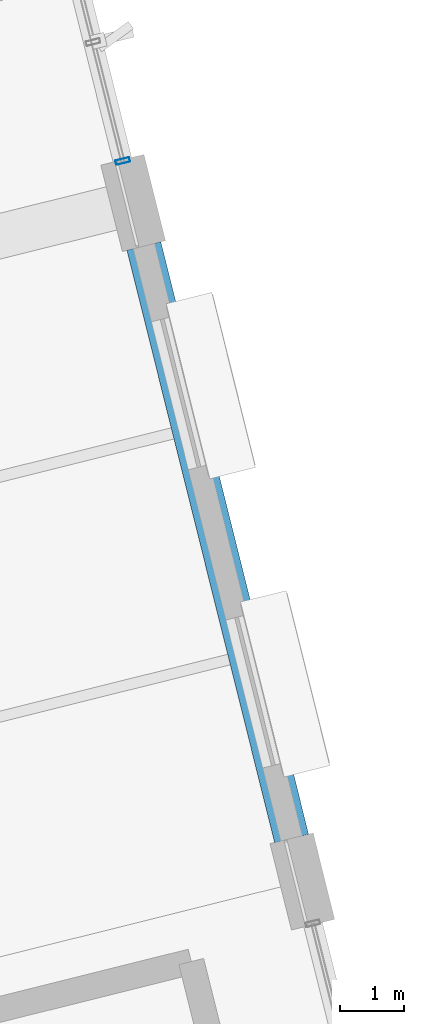
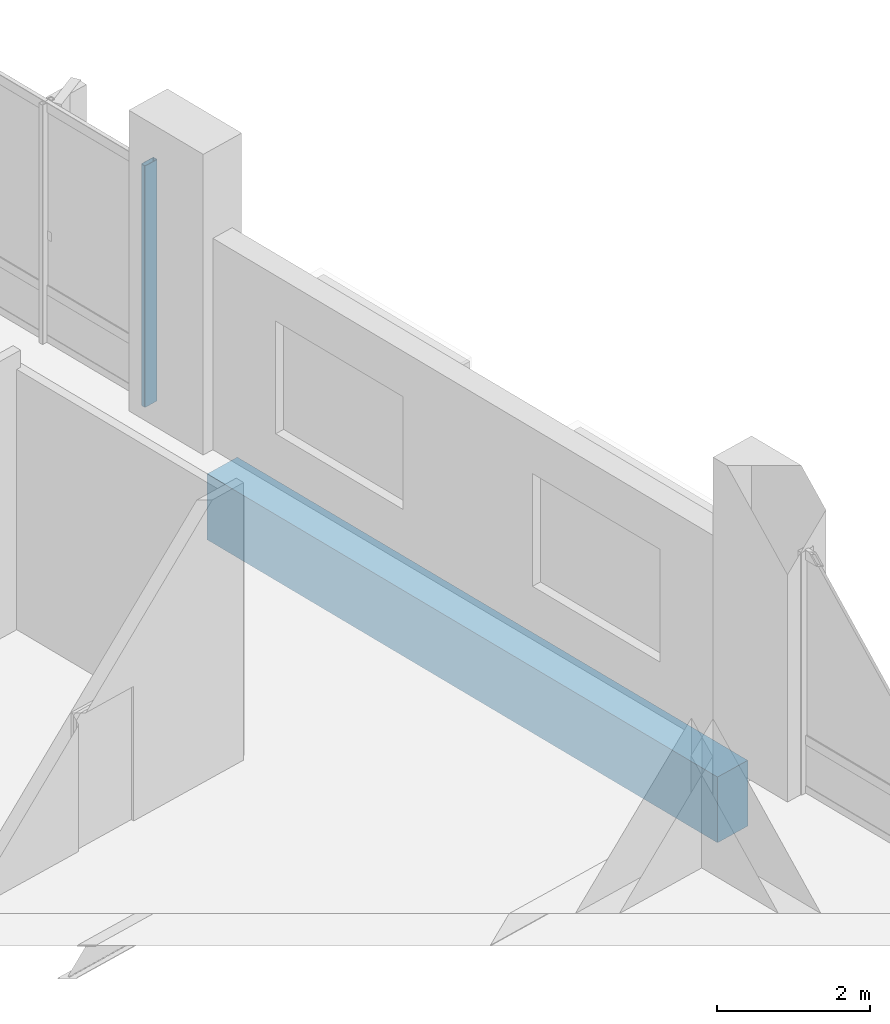
# One storey, part 101 of 137: 1 beam, 1 member, 1 element without a shape of its own.
"""IFC4 building model written with IfcOpenShell, lengths in metres."""

from ifc_helpers import new_model, si_unit, direction, frame, origin, origin_2d, place, context, subcontext, project, spatial, rectangle, hollow_rectangle, extrude, material, layer, layer_set, material_profile, profile_set, type_object, element, aggregate, save


model = new_model("IFC4")

# Units and contexts
model_context = context("Model", 3, precision=1e-05, world=origin(), true_north=direction((0.0, 1.0)))
body_context = subcontext(model_context, "Body", "Model", "MODEL_VIEW")
ifc_project = project(units=[si_unit("LENGTHUNIT", "METRE"), si_unit("AREAUNIT", "SQUARE_METRE"), si_unit("VOLUMEUNIT", "CUBIC_METRE"), si_unit("PLANEANGLEUNIT", "RADIAN"), si_unit("MASSUNIT", "GRAM", prefix="KILO")], contexts=[model_context])

# Site, building, storey
site_placement = place(None, origin())
site = spatial("IfcSite", under=ifc_project, at=site_placement, CompositionType="ELEMENT")
building_placement = place(site_placement, origin())
building = spatial("IfcBuilding", under=site, at=building_placement, Name="Khorjan Park Terminus", CompositionType="ELEMENT")
storey_placement = place(building_placement, frame((0.0, 0.0, 11.4)))
storey = spatial("IfcBuildingStorey", under=building, at=storey_placement, Name="L02", CompositionType="ELEMENT", Elevation=11.4)

# Beam
ifc_material_1 = material(Name="Concrete C40/50", Category="concrete")
ifc_material_profile_1 = material_profile(ifc_material_1, rectangle(XDim=0.55, YDim=1.05, at=origin_2d()), Name="RC 550x1050")
ifc_profile_set_1 = profile_set([ifc_material_profile_1], Name="Concrete C40/50")
beam_type = type_object("IfcBeamType", Name="BM-RC550x1050", PredefinedType="BEAM", material=ifc_profile_set_1)
beam_placement = place(storey_placement, frame((221.888, 50.661, -0.865), z_axis=(-0.241925915978, 0.970294723874, 0.0), x_axis=(-0.970294723874, -0.241925915978, 0.0)))
element("IfcBeam", 1, at=beam_placement, inside=storey, type_object=beam_type, Name="Primary skew-grid floor girder GB-105 (L02)", PredefinedType="BEAM", context=body_context, shape_type="SweptSolid", body=[
    extrude(rectangle(XDim=0.55, YDim=1.05, at=origin_2d()), origin(), (0.0, 0.0, 1.0), 9.61),
])

# Curtain wall, member
ifc_material_2 = material(Name="Anodized Bronze Aluminium", Category="aluminium")
ifc_layer = layer(ifc_material_2, 0.22)
ifc_layer_set = layer_set([ifc_layer], Name="Anodized Bronze Aluminium")
curtain_wall_type = type_object("IfcCurtainWallType", Name="CW-OPS-B", PredefinedType="NOTDEFINED", material=ifc_layer_set)
curtain_wall_placement = place(storey_placement, origin())
curtain_wall = element("IfcCurtainWall", 2, at=curtain_wall_placement, inside=storey, type_object=curtain_wall_type, Name="Unitized curtain wall CW-B (CW-V5-E-L02-B05)", PredefinedType="NOTDEFINED")
ifc_material_profile_2 = material_profile(ifc_material_2, hollow_rectangle(XDim=0.075, YDim=0.225, WallThickness=0.005, InnerFilletRadius=0.005, OuterFilletRadius=0.01, at=origin_2d()), Name="ALM 75x225x5")
ifc_profile_set_2 = profile_set([ifc_material_profile_2], Name="Anodized Bronze Aluminium")
member_type = type_object("IfcMemberType", Name="ML-ALM-225", PredefinedType="MULLION", material=ifc_profile_set_2)
member_placement = place(storey_placement, frame((219.2305, 61.3198, -0.035), z_axis=(0.0, 0.0, 1.0), x_axis=(-0.241935125171, 0.970292427678, 0.0)))
member = element("IfcMember", 3, at=member_placement, type_object=member_type, Name="Curtain-wall mullion ML-22 (CW-V5-E-L02-B05-0)", PredefinedType="MULLION", context=body_context, shape_type="SweptSolid", body=[
    extrude(hollow_rectangle(XDim=0.075, YDim=0.225, WallThickness=0.005, InnerFilletRadius=0.005, OuterFilletRadius=0.01, at=origin_2d()), origin(), (0.0, 0.0, 1.0), 3.855),
])
aggregate(curtain_wall, [member])

save(model, "model.ifc")
